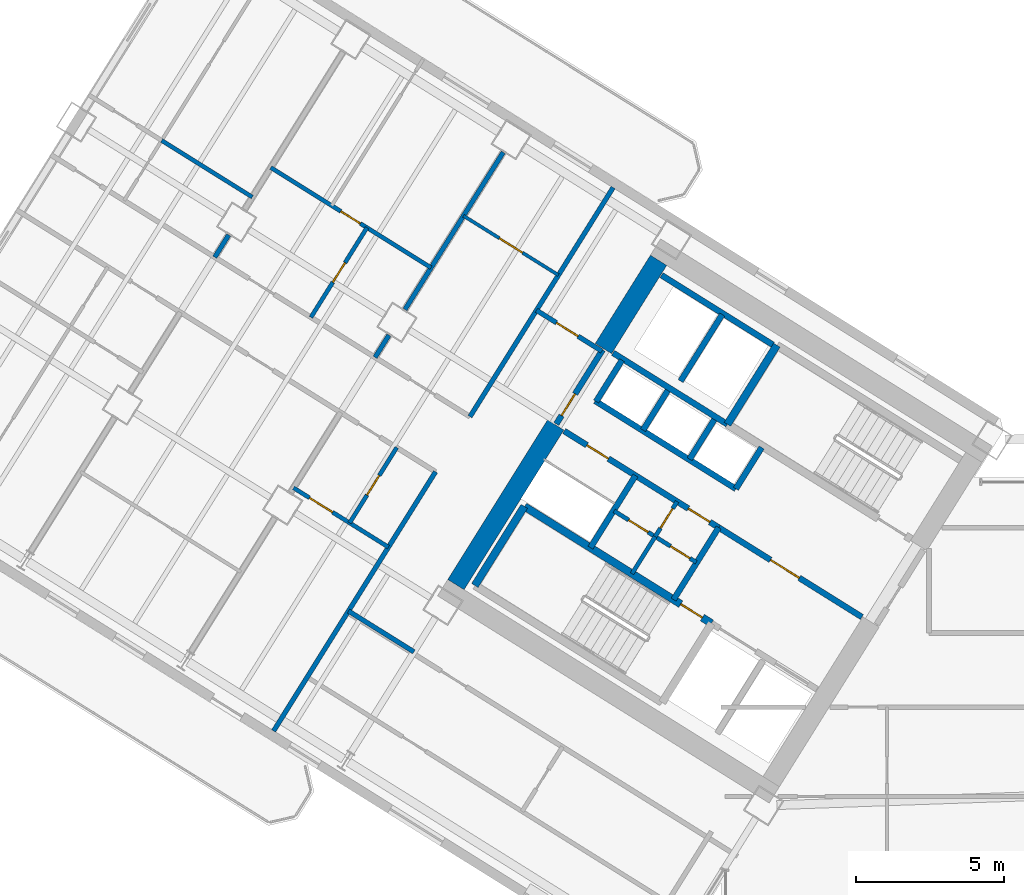
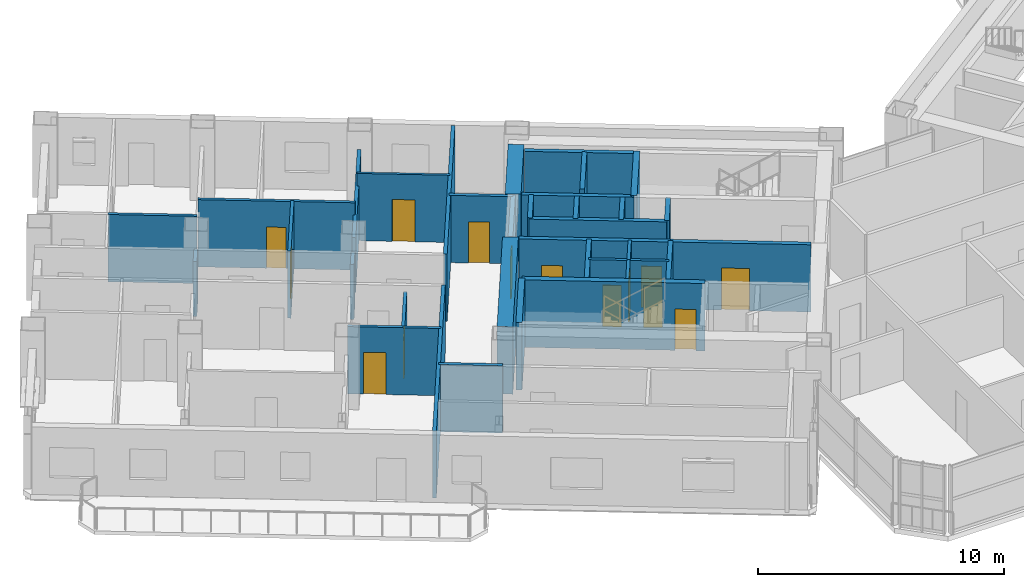
# One storey, part 16 of 25: 34 walls, 14 doors, 14 openings.
"""IFC4 building model written with IfcOpenShell, lengths in metres."""

from ifc_helpers import new_model, si_unit, direction, frame, frame_2d, origin, place, context, subcontext, project, spatial, rectangle, extrude, source, transform, mapped, material, layer, layer_set, type_object, element, fill, save


model = new_model("IFC4")

# Units and contexts
model_context = context("Model", 3, precision=1e-05, world=origin(), true_north=direction((0.0, 1.0)))
body_context = subcontext(model_context, "Body", "Model", "MODEL_VIEW")
ifc_project = project(units=[si_unit("LENGTHUNIT", "METRE"), si_unit("AREAUNIT", "SQUARE_METRE"), si_unit("VOLUMEUNIT", "CUBIC_METRE"), si_unit("PLANEANGLEUNIT", "RADIAN"), si_unit("MASSUNIT", "GRAM", prefix="KILO")], contexts=[model_context])

# Site, building, storey
site_placement = place(None, origin())
site = spatial("IfcSite", under=ifc_project, at=site_placement, CompositionType="ELEMENT")
building_placement = place(site_placement, origin())
building = spatial("IfcBuilding", under=site, at=building_placement, Name="Tlacorven Tower", CompositionType="ELEMENT")
storey_placement = place(building_placement, frame((0.0, 0.0, 52.800048828125)))
storey = spatial("IfcBuildingStorey", under=building, at=storey_placement, Name="L13", CompositionType="ELEMENT", Elevation=52.800048828125)

# Walls
ifc_material_1 = material(Name="Concrete C60/75", Category="concrete")
ifc_layer_1 = layer(ifc_material_1, 0.64990234375)
ifc_layer_set_1 = layer_set([ifc_layer_1], Name="Concrete C60/75")
wall_type_1 = type_object("IfcWallType", Name="WL-COR-650", PredefinedType="SHEAR", material=ifc_layer_set_1)
wall_1_placement = place(storey_placement, frame((29.49072265625, 30.5517578125, 0.0), z_axis=(0.0, 0.0, 1.0), x_axis=(-0.529893103397, -0.8480644427, 0.0)))
element("IfcWall", 1, at=wall_1_placement, inside=storey, type_object=wall_type_1, Name="L13 W core end wall E2.1", PredefinedType="SHEAR", context=body_context, shape_type="SweptSolid", body=[
    extrude(rectangle(XDim=3.525146484375, YDim=0.64990234375, at=frame_2d((1.7626953125, 0.0))), origin(), (0.0, 0.0, 1.0), 3.349853515625),
])
wall_2_placement = place(storey_placement, frame((26.006591796875, 24.975830078125, 0.0), z_axis=(0.0, 0.0, 1.0), x_axis=(-0.529916319127, -0.848049936456, 0.0)))
element("IfcWall", 2, at=wall_2_placement, inside=storey, type_object=wall_type_1, Name="L13 W core end wall E2.2", PredefinedType="SHEAR", context=body_context, shape_type="SweptSolid", body=[
    extrude(rectangle(XDim=6.375, YDim=0.64990234375, at=frame_2d((3.1875, 0.0))), origin(), (0.0, 0.0, 1.0), 3.349853515625),
])

# Wall, opening, door
ifc_material_2 = material(Name="Gypsum plasterboard acoustic partition", Category="gypsum")
ifc_layer_2 = layer(ifc_material_2, 0.159912109375)
ifc_layer_set_2 = layer_set([ifc_layer_2], Name="Gypsum plasterboard acoustic partition")
wall_type_2 = type_object("IfcWallType", Name="WL-DEM-160", PredefinedType="PARTITIONING", material=ifc_layer_set_2)
wall_3_placement = place(storey_placement, frame((27.56982421875, 27.4775390625, 0.0), z_axis=(0.0, 0.0, 1.0), x_axis=(-0.848050851465, 0.529914854792, 0.0)))
wall_3 = element("IfcWall", 3, at=wall_3_placement, inside=storey, type_object=wall_type_2, Name="L13 partition 49", PredefinedType="PARTITIONING", context=body_context, shape_type="SweptSolid", body=[
    extrude(rectangle(XDim=2.60986328125, YDim=0.159912109375, at=frame_2d((1.304931640625, 0.0))), origin(), (0.0, 0.0, 1.0), 3.33984375),
])
opening_1_placement = place(wall_3_placement, frame((0.949951171875, 0.0, 0.0)))
opening_1 = element("IfcOpeningElement", 4, at=opening_1_placement, cuts=wall_3, Name="Opening D19", PredefinedType="OPENING", context=body_context, shape_type="SweptSolid", body=[
    extrude(rectangle(XDim=0.860107421875, YDim=2.050048828125, at=frame_2d((0.43017578125, 1.02490234375))), frame((0.0, 0.08984375, 0.0), z_axis=(0.0, -1.0, 0.0), x_axis=(1.0, 0.0, 0.0)), (0.0, 0.0, 1.0), 0.179931640625),
])
ifc_material_3 = material(Name="Fire-rated steel door assembly", Category="steel")
door_type_1 = type_object("IfcDoorType", Name="DR-RSR-FD60-0860", OperationType="NOTDEFINED", PredefinedType="DOOR", material=ifc_material_3)
shared_shape_1 = source(origin(), body_context, "Body", "SweptSolid", [
    extrude(rectangle(XDim=0.860107421875, YDim=2.050048828125, at=frame_2d((0.43017578125, 1.02490234375))), frame((0.0, 0.02490234375, 0.0), z_axis=(0.0, -1.0, 0.0), x_axis=(1.0, 0.0, 0.0)), (0.0, 0.0, 1.0), 0.050048828125),
])
door_1_placement = place(opening_1_placement, frame((0.860107421875, 0.0, 0.0), z_axis=(0.0, 0.0, 1.0), x_axis=(-1.0, 0.0, 0.0)))
door_1 = element("IfcDoor", 5, at=door_1_placement, inside=storey, type_object=door_type_1, Name="L13 door 021", OperationType="SINGLE_SWING_LEFT", OverallHeight=2.050048828125, OverallWidth=0.860107421875, PredefinedType="DOOR", context=body_context, shape_type="MappedRepresentation", body=[
    mapped(shared_shape_1, transform((0.0, 0.0, 0.0), scale=1.0)),
])
fill(opening_1, door_1)

# Walls
wall_4_placement = place(storey_placement, frame((21.20556640625, 17.29248046875, 0.0), z_axis=(0.0, 0.0, 1.0), x_axis=(-0.848050851465, 0.529914854792, 0.0)))
element("IfcWall", 6, at=wall_4_placement, inside=storey, type_object=wall_type_2, Name="L13 partition 50", PredefinedType="PARTITIONING", context=body_context, shape_type="SweptSolid", body=[
    extrude(rectangle(XDim=2.60986328125, YDim=0.159912109375, at=frame_2d((1.304931640625, 0.0))), origin(), (0.0, 0.0, 1.0), 3.33984375),
])
wall_5_placement = place(storey_placement, frame((27.952880859375, 33.01611328125, 0.0), z_axis=(0.0, 0.0, 1.0), x_axis=(-0.529903001606, -0.848058257957, 0.0)))
element("IfcWall", 7, at=wall_5_placement, inside=storey, type_object=wall_type_2, Name="L13 partition 51", PredefinedType="PARTITIONING", context=body_context, shape_type="SweptSolid", body=[
    extrude(rectangle(XDim=9.150146484375, YDim=0.159912109375, at=frame_2d((4.5751953125, 0.0))), origin(), (0.0, 0.0, 1.0), 3.33984375),
])
wall_6_placement = place(storey_placement, frame((21.9384765625, 23.390625, 0.0), z_axis=(0.0, 0.0, 1.0), x_axis=(-0.529924725692, -0.848044683434, 0.0)))
element("IfcWall", 8, at=wall_6_placement, inside=storey, type_object=wall_type_2, Name="L13 partition 52", PredefinedType="PARTITIONING", context=body_context, shape_type="SweptSolid", body=[
    extrude(rectangle(XDim=10.349853515625, YDim=0.159912109375, at=frame_2d((5.1748046875, 0.0))), origin(), (0.0, 0.0, 1.0), 3.33984375),
])
wall_7_placement = place(storey_placement, frame((24.22900390625, 34.208740234375, 0.0), z_axis=(0.0, 0.0, 1.0), x_axis=(-0.529897533635, -0.848061674554, 0.0)))
element("IfcWall", 9, at=wall_7_placement, inside=storey, type_object=wall_type_2, Name="L13 WS Demising Wall 1", PredefinedType="PARTITIONING", context=body_context, shape_type="SweptSolid", body=[
    extrude(rectangle(XDim=6.276123046875, YDim=0.159912109375, at=frame_2d((3.13818359375, 0.0))), origin(), (0.0, 0.0, 1.0), 2.724853515625),
])
for number, where, z_axis, x_axis, name in (
    (10, (20.360595703125, 28.017822265625, 0.0), (0.0, 0.0, 1.0), (-0.529900064649, -0.848060093086, 0.0), "L13 WS Demising Wall 1"),
    (11, (14.93310546875, 31.409423828125, 0.0), (0.0, 0.0, 1.0), (-0.529776512202, -0.848137280821, 0.0), "L13 WS Demising Wall 2"),
):
    element("IfcWall", number, at=place(storey_placement, frame(where, z_axis=z_axis, x_axis=x_axis)), inside=storey, type_object=wall_type_2, Name=name, PredefinedType="PARTITIONING", context=body_context, shape_type="SweptSolid", body=[
        extrude(rectangle(XDim=0.887939453125, YDim=0.159912109375, at=frame_2d((0.44384765625, 0.0))), origin(), (0.0, 0.0, 1.0), 2.724853515625),
    ])

# Wall, opening, door
ifc_material_4 = material(Name="Gypsum plasterboard partition", Category="gypsum")
ifc_layer_3 = layer(ifc_material_4, 0.110107421875)
ifc_layer_set_3 = layer_set([ifc_layer_3], Name="Gypsum plasterboard partition")
wall_type_3 = type_object("IfcWallType", Name="WL-INT-110", PredefinedType="PARTITIONING", material=ifc_layer_set_3)
wall_8_placement = place(storey_placement, frame((26.099365234375, 30.049560546875, 0.0), z_axis=(0.0, 0.0, 1.0), x_axis=(-0.84803087207, 0.529946827537, 0.0)))
wall_8 = element("IfcWall", 12, at=wall_8_placement, inside=storey, type_object=wall_type_3, Name="L13 partition 66", PredefinedType="PARTITIONING", context=body_context, shape_type="SweptSolid", body=[
    extrude(rectangle(XDim=3.7900390625, YDim=0.110107421875, at=frame_2d((1.89501953125, 0.0))), origin(), (0.0, 0.0, 1.0), 3.33984375),
])
opening_2_placement = place(wall_8_placement, frame((1.43505859375, 0.0, 0.0)))
opening_2 = element("IfcOpeningElement", 13, at=opening_2_placement, cuts=wall_8, Name="Opening D12", PredefinedType="OPENING", context=body_context, shape_type="SweptSolid", body=[
    extrude(rectangle(XDim=0.919921875, YDim=2.080078125, at=frame_2d((0.4599609375, 1.0400390625))), frame((0.0, 0.06494140625, 0.0), z_axis=(0.0, -1.0, 0.0), x_axis=(1.0, 0.0, 0.0)), (0.0, 0.0, 1.0), 0.130126953125),
])
ifc_material_5 = material(Name="Powder-coated aluminium and timber door", Category="wood")
door_type_2 = type_object("IfcDoorType", Name="DR-INT-ROOM-0920", OperationType="NOTDEFINED", PredefinedType="DOOR", material=ifc_material_5)
shared_shape_2 = source(origin(), body_context, "Body", "SweptSolid", [
    extrude(rectangle(XDim=0.919921875, YDim=2.080078125, at=frame_2d((0.4599609375, 1.0400390625))), frame((0.0, 0.02490234375, 0.0), z_axis=(0.0, -1.0, 0.0), x_axis=(1.0, 0.0, 0.0)), (0.0, 0.0, 1.0), 0.050048828125),
])
door_2_placement = place(opening_2_placement, origin())
door_2 = element("IfcDoor", 14, at=door_2_placement, inside=storey, type_object=door_type_2, Name="L13 door 034", OperationType="SINGLE_SWING_LEFT", OverallHeight=2.080078125, OverallWidth=0.919921875, PredefinedType="DOOR", context=body_context, shape_type="MappedRepresentation", body=[
    mapped(shared_shape_2, transform((0.0, 0.0, 0.0), scale=1.0)),
])
fill(opening_2, door_2)

ifc_material_6 = material(Name="Moisture-resistant gypsum plumbing wall", Category="gypsum")
ifc_layer_4 = layer(ifc_material_6, 0.139892578125)
ifc_layer_set_4 = layer_set([ifc_layer_4], Name="Moisture-resistant gypsum plumbing wall")
wall_type_4 = type_object("IfcWallType", Name="WL-PLM-140", PredefinedType="PLUMBINGWALL", material=ifc_layer_set_4)
wall_9_placement = place(storey_placement, frame((30.117431640625, 22.383544921875, 0.0), z_axis=(0.0, 0.0, 1.0), x_axis=(-0.529951914384, -0.848027693204, 0.0)))
wall_9 = element("IfcWall", 15, at=wall_9_placement, inside=storey, type_object=wall_type_4, Name="L13 partition 23", PredefinedType="PLUMBINGWALL", context=body_context, shape_type="SweptSolid", body=[
    extrude(rectangle(XDim=1.39990234375, YDim=0.139892578125, at=frame_2d((0.699951171875, 0.0))), origin(), (0.0, 0.0, 1.0), 3.33984375),
])
opening_3_placement = place(wall_9_placement, frame((0.280029296875, 0.0, 0.0)))
opening_3 = element("IfcOpeningElement", 16, at=opening_3_placement, cuts=wall_9, Name="Opening D22", PredefinedType="OPENING", context=body_context, shape_type="SweptSolid", body=[
    extrude(rectangle(XDim=0.780029296875, YDim=2.050048828125, at=frame_2d((0.39013671875, 1.02490234375))), frame((0.0, 0.080078125, 0.0), z_axis=(0.0, -1.0, 0.0), x_axis=(1.0, 0.0, 0.0)), (0.0, 0.0, 1.0), 0.159912109375),
])
door_type_3 = type_object("IfcDoorType", Name="DR-INT-WET-0780", OperationType="NOTDEFINED", PredefinedType="DOOR", material=ifc_material_5)
shared_shape_3 = source(origin(), body_context, "Body", "SweptSolid", [
    extrude(rectangle(XDim=0.780029296875, YDim=2.050048828125, at=frame_2d((0.39013671875, 1.02490234375))), frame((0.0, 0.02490234375, 0.0), z_axis=(0.0, -1.0, 0.0), x_axis=(1.0, 0.0, 0.0)), (0.0, 0.0, 1.0), 0.050048828125),
])
door_3_placement = place(opening_3_placement, origin())
door_3 = element("IfcDoor", 17, at=door_3_placement, inside=storey, type_object=door_type_3, Name="L13 door 008", OperationType="SINGLE_SWING_RIGHT", OverallHeight=2.050048828125, OverallWidth=0.780029296875, PredefinedType="DOOR", context=body_context, shape_type="MappedRepresentation", body=[
    mapped(shared_shape_3, transform((0.0, 0.0, 0.0), scale=1.0)),
])
fill(opening_3, door_3)

# Wall
wall_10_placement = place(storey_placement, frame((29.37548828125, 21.1962890625, 0.0), z_axis=(0.0, 0.0, 1.0), x_axis=(-0.529865479138, -0.848081702443, 0.0)))
element("IfcWall", 18, at=wall_10_placement, inside=storey, type_object=wall_type_4, Name="L13 partition 24", PredefinedType="PLUMBINGWALL", context=body_context, shape_type="SweptSolid", body=[
    extrude(rectangle(XDim=1.47998046875, YDim=0.139892578125, at=frame_2d((0.739990234375, 0.0))), origin(), (0.0, 0.0, 1.0), 3.33984375),
])

# Wall, openings, doors
wall_11_placement = place(storey_placement, frame((30.766357421875, 20.3271484375, 0.0), z_axis=(0.0, 0.0, 1.0), x_axis=(-0.848052663127, 0.529911955482, 0.0)))
wall_11 = element("IfcWall", 19, at=wall_11_placement, inside=storey, type_object=wall_type_4, Name="L13 partition 25", PredefinedType="PLUMBINGWALL", context=body_context, shape_type="SweptSolid", body=[
    extrude(rectangle(XDim=3.27978515625, YDim=0.139892578125, at=frame_2d((1.639892578125, 0.0))), origin(), (0.0, 0.0, 1.0), 3.33984375),
])
opening_4_placement = place(wall_11_placement, frame((0.25, 0.0, 0.0)))
opening_4 = element("IfcOpeningElement", 20, at=opening_4_placement, cuts=wall_11, Name="Opening D22", PredefinedType="OPENING", context=body_context, shape_type="SweptSolid", body=[
    extrude(rectangle(XDim=0.780029296875, YDim=2.050048828125, at=frame_2d((0.39013671875, 1.02490234375))), frame((0.0, 0.080078125, 0.0), z_axis=(0.0, -1.0, 0.0), x_axis=(1.0, 0.0, 0.0)), (0.0, 0.0, 1.0), 0.159912109375),
])
opening_5_placement = place(wall_11_placement, frame((1.919921875, 0.0, 0.0)))
opening_5 = element("IfcOpeningElement", 21, at=opening_5_placement, cuts=wall_11, Name="Opening D22", PredefinedType="OPENING", context=body_context, shape_type="SweptSolid", body=[
    extrude(rectangle(XDim=0.780029296875, YDim=2.050048828125, at=frame_2d((0.39013671875, 1.02490234375))), frame((0.0, 0.080078125, 0.0), z_axis=(0.0, -1.0, 0.0), x_axis=(1.0, 0.0, 0.0)), (0.0, 0.0, 1.0), 0.159912109375),
])
door_4_placement = place(opening_4_placement, origin())
door_4 = element("IfcDoor", 22, at=door_4_placement, inside=storey, type_object=door_type_3, Name="L13 door 009", OperationType="SINGLE_SWING_LEFT", OverallHeight=2.050048828125, OverallWidth=0.780029296875, PredefinedType="DOOR", context=body_context, shape_type="MappedRepresentation", body=[
    mapped(shared_shape_3, transform((0.0, 0.0, 0.0), scale=1.0)),
])
fill(opening_4, door_4)
door_5_placement = place(opening_5_placement, origin())
door_5 = element("IfcDoor", 23, at=door_5_placement, inside=storey, type_object=door_type_3, Name="L13 door 010", OperationType="SINGLE_SWING_RIGHT", OverallHeight=2.050048828125, OverallWidth=0.780029296875, PredefinedType="DOOR", context=body_context, shape_type="MappedRepresentation", body=[
    mapped(shared_shape_3, transform((0.0, 0.0, 0.0), scale=1.0)),
])
fill(opening_5, door_5)

# Wall, opening, door
wall_12_placement = place(storey_placement, frame((20.34326171875, 20.838134765625, 0.0), z_axis=(0.0, 0.0, 1.0), x_axis=(-0.848059820872, 0.529900500304, 0.0)))
wall_12 = element("IfcWall", 24, at=wall_12_placement, inside=storey, type_object=wall_type_4, Name="L13 partition 57", PredefinedType="PLUMBINGWALL", context=body_context, shape_type="SweptSolid", body=[
    extrude(rectangle(XDim=3.7900390625, YDim=0.139892578125, at=frame_2d((1.89501953125, 0.0))), origin(), (0.0, 0.0, 1.0), 3.33984375),
])
opening_6_placement = place(wall_12_placement, frame((2.22998046875, 0.0, 0.0)))
opening_6 = element("IfcOpeningElement", 25, at=opening_6_placement, cuts=wall_12, Name="Opening D12", PredefinedType="OPENING", context=body_context, shape_type="SweptSolid", body=[
    extrude(rectangle(XDim=0.919921875, YDim=2.080078125, at=frame_2d((0.4599609375, 1.0400390625))), frame((0.0, 0.080078125, 0.0), z_axis=(0.0, -1.0, 0.0), x_axis=(1.0, 0.0, 0.0)), (0.0, 0.0, 1.0), 0.159912109375),
])
door_6_placement = place(opening_6_placement, origin())
door_6 = element("IfcDoor", 26, at=door_6_placement, inside=storey, type_object=door_type_2, Name="L13 door 024", OperationType="SINGLE_SWING_LEFT", OverallHeight=2.080078125, OverallWidth=0.919921875, PredefinedType="DOOR", context=body_context, shape_type="MappedRepresentation", body=[
    mapped(shared_shape_2, transform((0.0, 0.0, 0.0), scale=1.0)),
])
fill(opening_6, door_6)

wall_13_placement = place(storey_placement, frame((20.6240234375, 24.212158203125, 0.0), z_axis=(0.0, 0.0, 1.0), x_axis=(-0.529940615993, -0.848034753722, 0.0)))
wall_13 = element("IfcWall", 27, at=wall_13_placement, inside=storey, type_object=wall_type_4, Name="L13 partition 58", PredefinedType="PLUMBINGWALL", context=body_context, shape_type="SweptSolid", body=[
    extrude(rectangle(XDim=3.01025390625, YDim=0.139892578125, at=frame_2d((1.505126953125, 0.0))), origin(), (0.0, 0.0, 1.0), 2.994873046875),
])
opening_7_placement = place(wall_13_placement, frame((1.114990234375, 0.0, 0.0)))
opening_7 = element("IfcOpeningElement", 28, at=opening_7_placement, cuts=wall_13, Name="Opening D22", PredefinedType="OPENING", context=body_context, shape_type="SweptSolid", body=[
    extrude(rectangle(XDim=0.780029296875, YDim=2.050048828125, at=frame_2d((0.39013671875, 1.02490234375))), frame((0.0, 0.080078125, 0.0), z_axis=(0.0, -1.0, 0.0), x_axis=(1.0, 0.0, 0.0)), (0.0, 0.0, 1.0), 0.159912109375),
])
door_7_placement = place(opening_7_placement, origin())
door_7 = element("IfcDoor", 29, at=door_7_placement, inside=storey, type_object=door_type_3, Name="L13 door 025", OperationType="SINGLE_SWING_RIGHT", OverallHeight=2.050048828125, OverallWidth=0.780029296875, PredefinedType="DOOR", context=body_context, shape_type="MappedRepresentation", body=[
    mapped(shared_shape_3, transform((0.0, 0.0, 0.0), scale=1.0)),
])
fill(opening_7, door_7)

wall_14_placement = place(storey_placement, frame((21.787353515625, 30.30078125, 0.0), z_axis=(0.0, 0.0, 1.0), x_axis=(-0.848049732085, 0.529916646191, 0.0)))
wall_14 = element("IfcWall", 30, at=wall_14_placement, inside=storey, type_object=wall_type_4, Name="L13 partition 68", PredefinedType="PLUMBINGWALL", context=body_context, shape_type="SweptSolid", body=[
    extrude(rectangle(XDim=6.400146484375, YDim=0.139892578125, at=frame_2d((3.2001953125, 0.0))), origin(), (0.0, 0.0, 1.0), 3.33984375),
])
opening_8_placement = place(wall_14_placement, frame((2.823974609375, 0.0, 0.0)))
opening_8 = element("IfcOpeningElement", 31, at=opening_8_placement, cuts=wall_14, Name="Opening D22", PredefinedType="OPENING", context=body_context, shape_type="SweptSolid", body=[
    extrude(rectangle(XDim=0.780029296875, YDim=2.050048828125, at=frame_2d((0.39013671875, 1.02490234375))), frame((0.0, 0.080078125, 0.0), z_axis=(0.0, -1.0, 0.0), x_axis=(1.0, 0.0, 0.0)), (0.0, 0.0, 1.0), 0.159912109375),
])
door_8_placement = place(opening_8_placement, origin())
door_8 = element("IfcDoor", 32, at=door_8_placement, inside=storey, type_object=door_type_3, Name="L13 door 037", OperationType="SINGLE_SWING_RIGHT", OverallHeight=2.050048828125, OverallWidth=0.780029296875, PredefinedType="DOOR", context=body_context, shape_type="MappedRepresentation", body=[
    mapped(shared_shape_3, transform((0.0, 0.0, 0.0), scale=1.0)),
])
fill(opening_8, door_8)

wall_15_placement = place(storey_placement, frame((19.6162109375, 31.657470703125, 0.0), z_axis=(0.0, 0.0, 1.0), x_axis=(-0.529876336437, -0.84807491891, 0.0)))
wall_15 = element("IfcWall", 33, at=wall_15_placement, inside=storey, type_object=wall_type_4, Name="L13 partition 69", PredefinedType="PLUMBINGWALL", context=body_context, shape_type="SweptSolid", body=[
    extrude(rectangle(XDim=3.580078125, YDim=0.139892578125, at=frame_2d((1.7900390625, 0.0))), origin(), (0.0, 0.0, 1.0), 3.33984375),
])
opening_9_placement = place(wall_15_placement, frame((1.39990234375, 0.0, 0.0)))
opening_9 = element("IfcOpeningElement", 34, at=opening_9_placement, cuts=wall_15, Name="Opening D22", PredefinedType="OPENING", context=body_context, shape_type="SweptSolid", body=[
    extrude(rectangle(XDim=0.780029296875, YDim=2.050048828125, at=frame_2d((0.39013671875, 1.02490234375))), frame((0.0, 0.080078125, 0.0), z_axis=(0.0, -1.0, 0.0), x_axis=(1.0, 0.0, 0.0)), (0.0, 0.0, 1.0), 0.159912109375),
])
door_9_placement = place(opening_9_placement, origin())
door_9 = element("IfcDoor", 35, at=door_9_placement, inside=storey, type_object=door_type_3, Name="L13 door 038", OperationType="SINGLE_SWING_LEFT", OverallHeight=2.050048828125, OverallWidth=0.780029296875, PredefinedType="DOOR", context=body_context, shape_type="MappedRepresentation", body=[
    mapped(shared_shape_3, transform((0.0, 0.0, 0.0), scale=1.0)),
])
fill(opening_9, door_9)

# Wall
wall_16_placement = place(storey_placement, frame((15.734375, 32.691650390625, 0.0), z_axis=(0.0, 0.0, 1.0), x_axis=(-0.848051346257, 0.52991406295, 0.0)))
element("IfcWall", 36, at=wall_16_placement, inside=storey, type_object=wall_type_4, Name="L13 partition 74", PredefinedType="PLUMBINGWALL", context=body_context, shape_type="SweptSolid", body=[
    extrude(rectangle(XDim=3.619873046875, YDim=0.139892578125, at=frame_2d((1.81005859375, 0.0))), origin(), (0.0, 0.0, 1.0), 3.33984375),
])

# Wall, opening, door
ifc_material_7 = material(Name="Concrete C40/50", Category="concrete")
ifc_layer_5 = layer(ifc_material_7, 0.199951171875)
ifc_layer_set_5 = layer_set([ifc_layer_5], Name="Concrete C40/50")
wall_type_5 = type_object("IfcWallType", Name="WL-SHF-200", PredefinedType="STANDARD", material=ifc_layer_set_5)
wall_17_placement = place(storey_placement, frame((36.374267578125, 18.4736328125, 0.0), z_axis=(0.0, 0.0, 1.0), x_axis=(-0.848051071577, 0.529914502535, 0.0)))
wall_17 = element("IfcWall", 37, at=wall_17_placement, inside=storey, type_object=wall_type_5, Name="L13 Core W Smoke Lobby Wall", PredefinedType="STANDARD", context=body_context, shape_type="SweptSolid", body=[
    extrude(rectangle(XDim=5.718017578125, YDim=0.199951171875, at=frame_2d((2.85888671875, 0.0))), origin(), (0.0, 0.0, 1.0), 3.33984375),
])
opening_10_placement = place(wall_17_placement, frame((2.498046875, 0.0, 0.0)))
opening_10 = element("IfcOpeningElement", 38, at=opening_10_placement, cuts=wall_17, Name="Opening D09", PredefinedType="OPENING", context=body_context, shape_type="SweptSolid", body=[
    extrude(rectangle(XDim=1.14990234375, YDim=2.10009765625, at=frame_2d((0.574951171875, 1.050048828125))), frame((0.0, 0.10986328125, 0.0), z_axis=(0.0, -1.0, 0.0), x_axis=(1.0, 0.0, 0.0)), (0.0, 0.0, 1.0), 0.219970703125),
])
door_type_4 = type_object("IfcDoorType", Name="DR-FFL-FD60-1150", OperationType="NOTDEFINED", PredefinedType="DOOR", material=ifc_material_3)
shared_shape_4 = source(origin(), body_context, "Body", "SweptSolid", [
    extrude(rectangle(XDim=1.14990234375, YDim=2.10009765625, at=frame_2d((0.574951171875, 1.050048828125))), frame((0.0, 0.02490234375, 0.0), z_axis=(0.0, -1.0, 0.0), x_axis=(1.0, 0.0, 0.0)), (0.0, 0.0, 1.0), 0.050048828125),
])
door_10_placement = place(opening_10_placement, origin())
door_10 = element("IfcDoor", 39, at=door_10_placement, inside=storey, type_object=door_type_4, Name="L13 Firefighting Lobby W Fire Door", OperationType="SINGLE_SWING_LEFT", OverallHeight=2.10009765625, OverallWidth=1.14990234375, PredefinedType="DOOR", context=body_context, shape_type="MappedRepresentation", body=[
    mapped(shared_shape_4, transform((0.0, 0.0, 0.0), scale=1.0)),
])
fill(opening_10, door_10)

# Walls
wall_18_placement = place(storey_placement, frame((31.82177734375, 24.99755859375, 0.0), z_axis=(0.0, 0.0, 1.0), x_axis=(-0.848058348634, 0.529902856485, 0.0)))
element("IfcWall", 40, at=wall_18_placement, inside=storey, type_object=wall_type_5, Name="L13 Core W South Lift Shaft Wall", PredefinedType="STANDARD", context=body_context, shape_type="SweptSolid", body=[
    extrude(rectangle(XDim=4.568115234375, YDim=0.199951171875, at=frame_2d((2.2841796875, 0.0))), origin(), (0.0, 0.0, 1.0), 3.33984375),
])
wall_19_placement = place(storey_placement, frame((32.108154296875, 22.81396484375, 0.0), z_axis=(0.0, 0.0, 1.0), x_axis=(-0.848042229521, 0.529928652696, 0.0)))
element("IfcWall", 41, at=wall_19_placement, inside=storey, type_object=wall_type_5, Name="L13 partition 11", PredefinedType="STANDARD", context=body_context, shape_type="SweptSolid", body=[
    extrude(rectangle(XDim=5.6201171875, YDim=0.199951171875, at=frame_2d((2.81005859375, 0.0))), origin(), (0.0, 0.0, 1.0), 3.33984375),
])
wall_20_placement = place(storey_placement, frame((32.982421875, 24.21337890625, 0.0), z_axis=(0.0, 0.0, 1.0), x_axis=(-0.529839334948, -0.84809803628, 0.0)))
element("IfcWall", 42, at=wall_20_placement, inside=storey, type_object=wall_type_5, Name="L13 partition 12", PredefinedType="STANDARD", context=body_context, shape_type="SweptSolid", body=[
    extrude(rectangle(XDim=1.650146484375, YDim=0.199951171875, at=frame_2d((0.8251953125, 0.0))), origin(), (0.0, 0.0, 1.0), 3.33984375),
])
wall_21_placement = place(storey_placement, frame((28.250244140625, 27.170166015625, 0.0), z_axis=(0.0, 0.0, 1.0), x_axis=(-0.529905827651, -0.848056492117, 0.0)))
element("IfcWall", 43, at=wall_21_placement, inside=storey, type_object=wall_type_5, Name="L13 partition 13", PredefinedType="STANDARD", context=body_context, shape_type="SweptSolid", body=[
    extrude(rectangle(XDim=1.64990234375, YDim=0.199951171875, at=frame_2d((0.824951171875, 0.0))), origin(), (0.0, 0.0, 1.0), 3.33984375),
])
wall_22_placement = place(storey_placement, frame((31.645263671875, 28.716064453125, 0.0), z_axis=(0.0, 0.0, 1.0), x_axis=(-0.52986693015, -0.848080795876, 0.0)))
element("IfcWall", 44, at=wall_22_placement, inside=storey, type_object=wall_type_5, Name="L13 partition 15", PredefinedType="STANDARD", context=body_context, shape_type="SweptSolid", body=[
    extrude(rectangle(XDim=2.659912109375, YDim=0.199951171875, at=frame_2d((1.330078125, 0.0))), origin(), (0.0, 0.0, 1.0), 3.33984375),
])
wall_23_placement = place(storey_placement, frame((33.362548828125, 27.690185546875, 0.0), z_axis=(0.0, 0.0, 1.0), x_axis=(-0.848053806312, 0.529910125964, 0.0)))
element("IfcWall", 45, at=wall_23_placement, inside=storey, type_object=wall_type_5, Name="L13 partition 17", PredefinedType="STANDARD", context=body_context, shape_type="SweptSolid", body=[
    extrude(rectangle(XDim=4.44775390625, YDim=0.199951171875, at=frame_2d((2.223876953125, 0.0))), origin(), (0.0, 0.0, 1.0), 3.33984375),
])
for number, where, z_axis, x_axis, name in (
    (46, (31.378662109375, 25.156494140625, 0.0), (0.0, 0.0, 1.0), (-0.529998940003, -0.847998304005, 0.0), "L13 partition 18"),
    (47, (29.80126953125, 26.14208984375, 0.0), (0.0, 0.0, 1.0), (-0.529998940003, -0.847998304005, 0.0), "L13 partition 19"),
):
    element("IfcWall", number, at=place(storey_placement, frame(where, z_axis=z_axis, x_axis=x_axis)), inside=storey, type_object=wall_type_5, Name=name, PredefinedType="STANDARD", context=body_context, shape_type="SweptSolid", body=[
        extrude(rectangle(XDim=1.580078125, YDim=0.199951171875, at=frame_2d((0.7900390625, 0.0))), origin(), (0.0, 0.0, 1.0), 3.33984375),
    ])
for number, where, z_axis, x_axis, name in (
    (48, (31.525146484375, 21.503662109375, 0.0), (0.0, 0.0, 1.0), (-0.529907497854, -0.848055448493, 0.0), "L13 partition 20"),
    (49, (28.709716796875, 23.26318359375, 0.0), (0.0, 0.0, 1.0), (-0.529907497854, -0.848055448493, 0.0), "L13 partition 21"),
):
    element("IfcWall", number, at=place(storey_placement, frame(where, z_axis=z_axis, x_axis=x_axis)), inside=storey, type_object=wall_type_5, Name=name, PredefinedType="STANDARD", context=body_context, shape_type="SweptSolid", body=[
        extrude(rectangle(XDim=2.8798828125, YDim=0.199951171875, at=frame_2d((1.43994140625, 0.0))), origin(), (0.0, 0.0, 1.0), 3.33984375),
    ])

# Wall, openings, doors
wall_24_placement = place(storey_placement, frame((31.525146484375, 21.503662109375, 0.0), z_axis=(0.0, 0.0, 1.0), x_axis=(-0.848044998614, 0.529924221305, 0.0)))
wall_24 = element("IfcWall", 50, at=wall_24_placement, inside=storey, type_object=wall_type_5, Name="L13 Core W North Service Wall", PredefinedType="STANDARD", context=body_context, shape_type="SweptSolid", body=[
    extrude(rectangle(XDim=6.16796875, YDim=0.199951171875, at=frame_2d((3.083984375, 0.0))), origin(), (0.0, 0.0, 1.0), 3.33984375),
])
opening_11_placement = place(wall_24_placement, frame((4.39990234375, 0.0, 0.0)))
opening_11 = element("IfcOpeningElement", 51, at=opening_11_placement, cuts=wall_24, Name="Opening D19", PredefinedType="OPENING", context=body_context, shape_type="SweptSolid", body=[
    extrude(rectangle(XDim=0.860107421875, YDim=2.050048828125, at=frame_2d((0.43017578125, 1.02490234375))), frame((0.0, 0.10986328125, 0.0), z_axis=(0.0, -1.0, 0.0), x_axis=(1.0, 0.0, 0.0)), (0.0, 0.0, 1.0), 0.219970703125),
])
opening_12_placement = place(wall_24_placement, frame((0.35009765625, 0.0, 0.0)))
opening_12 = element("IfcOpeningElement", 52, at=opening_12_placement, cuts=wall_24, Name="Opening D19", PredefinedType="OPENING", context=body_context, shape_type="SweptSolid", body=[
    extrude(rectangle(XDim=0.860107421875, YDim=2.050048828125, at=frame_2d((0.43017578125, 1.02490234375))), frame((0.0, 0.10986328125, 0.0), z_axis=(0.0, -1.0, 0.0), x_axis=(1.0, 0.0, 0.0)), (0.0, 0.0, 1.0), 0.219970703125),
])
door_11_placement = place(opening_11_placement, frame((0.860107421875, 0.0, 0.0), z_axis=(0.0, 0.0, 1.0), x_axis=(-1.0, 0.0, 0.0)))
door_11 = element("IfcDoor", 53, at=door_11_placement, inside=storey, type_object=door_type_1, Name="L13 Electrical Riser Access Door W", OperationType="SINGLE_SWING_RIGHT", OverallHeight=2.050048828125, OverallWidth=0.860107421875, PredefinedType="DOOR", context=body_context, shape_type="MappedRepresentation", body=[
    mapped(shared_shape_1, transform((0.0, 0.0, 0.0), scale=1.0)),
])
fill(opening_11, door_11)
door_12_placement = place(opening_12_placement, frame((0.860107421875, 0.0, 0.0), z_axis=(0.0, 0.0, 1.0), x_axis=(-1.0, 0.0, 0.0)))
door_12 = element("IfcDoor", 54, at=door_12_placement, inside=storey, type_object=door_type_1, Name="L13 Cleaning Room Access Door W", OperationType="SINGLE_SWING_LEFT", OverallHeight=2.050048828125, OverallWidth=0.860107421875, PredefinedType="DOOR", context=body_context, shape_type="MappedRepresentation", body=[
    mapped(shared_shape_1, transform((0.0, 0.0, 0.0), scale=1.0)),
])
fill(opening_12, door_12)

# Wall, opening, door
wall_25_placement = place(storey_placement, frame((27.59619140625, 27.52001953125, 0.0), z_axis=(0.0, 0.0, 1.0), x_axis=(-0.529865479138, -0.848081702443, 0.0)))
wall_25 = element("IfcWall", 55, at=wall_25_placement, inside=storey, type_object=wall_type_5, Name="L13 partition 48", PredefinedType="STANDARD", context=body_context, shape_type="SweptSolid", body=[
    extrude(rectangle(XDim=2.9599609375, YDim=0.199951171875, at=frame_2d((1.47998046875, 0.0))), origin(), (0.0, 0.0, 1.0), 3.33984375),
])
opening_13_placement = place(wall_25_placement, frame((1.760009765625, 0.0, 0.0)))
opening_13 = element("IfcOpeningElement", 56, at=opening_13_placement, cuts=wall_25, Name="Opening D19", PredefinedType="OPENING", context=body_context, shape_type="SweptSolid", body=[
    extrude(rectangle(XDim=0.860107421875, YDim=2.050048828125, at=frame_2d((0.43017578125, 1.02490234375))), frame((0.0, 0.10986328125, 0.0), z_axis=(0.0, -1.0, 0.0), x_axis=(1.0, 0.0, 0.0)), (0.0, 0.0, 1.0), 0.219970703125),
])
door_13_placement = place(opening_13_placement, origin())
door_13 = element("IfcDoor", 57, at=door_13_placement, inside=storey, type_object=door_type_1, Name="L13 door 022", OperationType="SINGLE_SWING_LEFT", OverallHeight=2.050048828125, OverallWidth=0.860107421875, PredefinedType="DOOR", context=body_context, shape_type="MappedRepresentation", body=[
    mapped(shared_shape_1, transform((0.0, 0.0, 0.0), scale=1.0)),
])
fill(opening_13, door_13)

ifc_material_8 = material(Name="Concrete C50/60", Category="concrete")
ifc_layer_6 = layer(ifc_material_8, 0.260009765625)
ifc_layer_set_6 = layer_set([ifc_layer_6], Name="Concrete C50/60")
wall_type_6 = type_object("IfcWallType", Name="WL-STW-260", PredefinedType="SHEAR", material=ifc_layer_set_6)
wall_26_placement = place(storey_placement, frame((31.279541015625, 18.26123046875, 0.0), z_axis=(0.0, 0.0, 1.0), x_axis=(-0.848051618787, 0.529913626805, 0.0)))
wall_26 = element("IfcWall", 58, at=wall_26_placement, inside=storey, type_object=wall_type_6, Name="L13 Stair W1 Lobby Shear Wall", PredefinedType="SHEAR", context=body_context, shape_type="SweptSolid", body=[
    extrude(rectangle(XDim=7.4599609375, YDim=0.260009765625, at=frame_2d((3.72998046875, 0.0))), origin(), (0.0, 0.0, 1.0), 3.349853515625),
])
opening_14_placement = place(wall_26_placement, frame((0.360107421875, 0.0, 0.0)))
opening_14 = element("IfcOpeningElement", 59, at=opening_14_placement, cuts=wall_26, Name="Opening D19", PredefinedType="OPENING", context=body_context, shape_type="SweptSolid", body=[
    extrude(rectangle(XDim=0.860107421875, YDim=2.050048828125, at=frame_2d((0.43017578125, 1.02490234375))), frame((0.0, 0.14013671875, 0.0), z_axis=(0.0, -1.0, 0.0), x_axis=(1.0, 0.0, 0.0)), (0.0, 0.0, 1.0), 0.280029296875),
])
door_14_placement = place(opening_14_placement, frame((0.860107421875, 0.0, 0.0), z_axis=(0.0, 0.0, 1.0), x_axis=(-1.0, 0.0, 0.0)))
door_14 = element("IfcDoor", 60, at=door_14_placement, inside=storey, type_object=door_type_1, Name="L13 Exit Stair W1 Fire Door", OperationType="SINGLE_SWING_LEFT", OverallHeight=2.050048828125, OverallWidth=0.860107421875, PredefinedType="DOOR", context=body_context, shape_type="MappedRepresentation", body=[
    mapped(shared_shape_1, transform((0.0, 0.0, 0.0), scale=1.0)),
])
fill(opening_14, door_14)

# Walls
for number, where, z_axis, x_axis, name in (
    (61, (24.944580078125, 22.2197265625, 0.0), (0.0, 0.0, 1.0), (-0.529908658664, -0.84805472316, 0.0), "L13 Stair W1 East Shear Wall"),
    (62, (33.496337890625, 27.677490234375, 0.0), (0.0, 0.0, 1.0), (-0.529908658664, -0.84805472316, 0.0), "L13 Stair W2 East Shear Wall"),
):
    element("IfcWall", number, at=place(storey_placement, frame(where, z_axis=z_axis, x_axis=x_axis)), inside=storey, type_object=wall_type_6, Name=name, PredefinedType="SHEAR", context=body_context, shape_type="SweptSolid", body=[
        extrude(rectangle(XDim=3.16015625, YDim=0.260009765625, at=frame_2d((1.580078125, 0.0))), origin(), (0.0, 0.0, 1.0), 3.349853515625),
    ])

save(model, "model.ifc")
